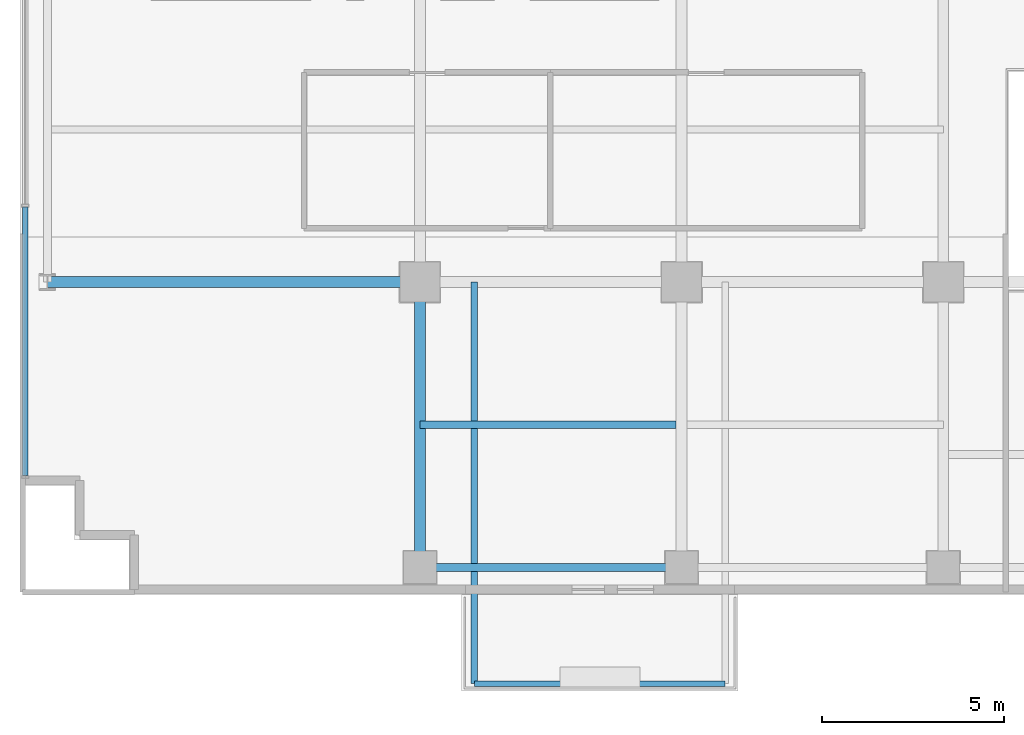
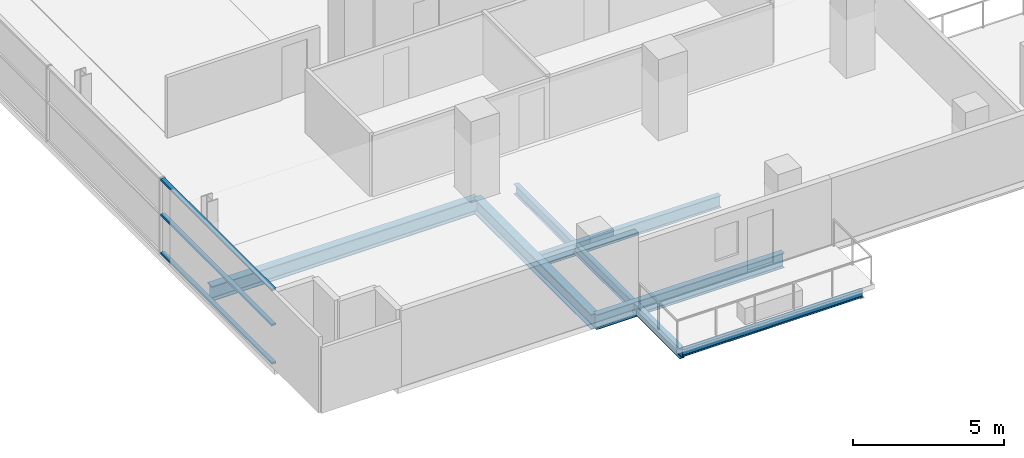
# One storey, part 3 of 30: 6 beams, 3 members, 1 element without a shape of its own.
"""IFC4 building model written with IfcOpenShell, lengths in metres."""

from ifc_helpers import new_model, si_unit, direction, frame, origin, origin_2d, place, context, subcontext, project, spatial, hollow_rectangle, i_section, extrude, source, transform, mapped, material, layer, layer_set, material_profile, profile_set, type_object, element, aggregate, save


model = new_model("IFC4")

# Units and contexts
model_context = context("Model", 3, precision=1e-05, world=origin(), true_north=direction((0.0, 1.0)))
body_context = subcontext(model_context, "Body", "Model", "MODEL_VIEW")
ifc_project = project(units=[si_unit("LENGTHUNIT", "METRE"), si_unit("AREAUNIT", "SQUARE_METRE"), si_unit("VOLUMEUNIT", "CUBIC_METRE"), si_unit("PLANEANGLEUNIT", "RADIAN"), si_unit("MASSUNIT", "GRAM", prefix="KILO")], contexts=[model_context])

# Site, building, storey
site_placement = place(None, origin())
site = spatial("IfcSite", under=ifc_project, at=site_placement, CompositionType="ELEMENT")
building_placement = place(site_placement, origin())
building = spatial("IfcBuilding", under=site, at=building_placement, Name="Zarnakvel Exchange Tower", CompositionType="ELEMENT")
storey_placement = place(building_placement, frame((0.0, 0.0, 50.5)))
storey = spatial("IfcBuildingStorey", under=building, at=storey_placement, Name="L13", CompositionType="ELEMENT", Elevation=50.5)

# Beams
ifc_material_1 = material(Name="Steel S355", Category="steel")
ifc_material_profile_1 = material_profile(ifc_material_1, i_section(OverallWidth=0.199951171875, OverallDepth=0.5, WebThickness=0.01025390625, FlangeThickness=0.01611328125, FilletRadius=0.02099609375, at=origin_2d()))
ifc_profile_set_1 = profile_set([ifc_material_profile_1], Name="Steel S355")
beam_type_1 = type_object("IfcBeamType", Name="B-04", PredefinedType="JOIST", material=ifc_profile_set_1)
beam_1_placement = place(storey_placement, frame((-21.60009765625, -13.52490234375, -0.47509765625), z_axis=(1.0, 0.0, 0.0), x_axis=(0.0, 1.0, 0.0)))
element("IfcBeam", 1, at=beam_1_placement, inside=storey, type_object=beam_type_1, Name="L13 Composite Floor Secondary Joist", PredefinedType="JOIST", context=body_context, shape_type="SweptSolid", body=[
    extrude(i_section(OverallWidth=0.199951171875, OverallDepth=0.5, WebThickness=0.01025390625, FlangeThickness=0.01611328125, FilletRadius=0.02099609375, at=origin_2d()), origin(), (0.0, 0.0, 1.0), 7.050048828125),
])
ifc_material_profile_2 = material_profile(ifc_material_1, i_section(OverallWidth=0.179931640625, OverallDepth=0.39990234375, WebThickness=0.008544921875, FlangeThickness=0.013427734375, FilletRadius=0.02099609375, at=origin_2d()))
ifc_profile_set_2 = profile_set([ifc_material_profile_2], Name="Steel S355")
beam_type_2 = type_object("IfcBeamType", Name="B-06", PredefinedType="JOIST", material=ifc_profile_set_2)
beam_2_placement = place(storey_placement, frame((-20.10009765625, -9.60009765625, -0.425048828125), z_axis=(0.0, -1.0, 0.0), x_axis=(1.0, 0.0, 0.0)))
element("IfcBeam", 2, at=beam_2_placement, inside=storey, type_object=beam_type_2, Name="L13 Continuous Back-Spanned Balcony Beam W", PredefinedType="JOIST", context=body_context, shape_type="SweptSolid", body=[
    extrude(i_section(OverallWidth=0.179931640625, OverallDepth=0.39990234375, WebThickness=0.008544921875, FlangeThickness=0.013427734375, FilletRadius=0.02099609375, at=origin_2d()), origin(), (0.0, 0.0, 1.0), 11.0498046875),
])
ifc_material_profile_3 = material_profile(ifc_material_1, i_section(OverallWidth=0.14990234375, OverallDepth=0.300048828125, WebThickness=0.007080078125, FlangeThickness=0.0107421875, FilletRadius=0.014892578125, at=origin_2d()))
ifc_profile_set_3 = profile_set([ifc_material_profile_3], Name="Steel S355")
beam_type_3 = type_object("IfcBeamType", Name="B-08", PredefinedType="JOIST", material=ifc_profile_set_3)
beam_3_placement = place(storey_placement, frame((-20.10009765625, -20.64990234375, -0.375), z_axis=(1.0, 0.0, 0.0), x_axis=(0.0, 1.0, 0.0)))
element("IfcBeam", 3, at=beam_3_placement, inside=storey, type_object=beam_type_3, Name="L13 Balcony Edge Beam", PredefinedType="JOIST", context=body_context, shape_type="SweptSolid", body=[
    extrude(i_section(OverallWidth=0.14990234375, OverallDepth=0.300048828125, WebThickness=0.007080078125, FlangeThickness=0.0107421875, FilletRadius=0.014892578125, at=origin_2d()), origin(), (0.0, 0.0, 1.0), 6.900146484375),
])
ifc_material_profile_4 = material_profile(ifc_material_1, i_section(OverallWidth=0.300048828125, OverallDepth=0.60009765625, WebThickness=0.015380859375, FlangeThickness=0.030029296875, FilletRadius=0.027099609375, at=origin_2d()))
ifc_profile_set_4 = profile_set([ifc_material_profile_4], Name="Steel S355")
beam_type_4 = type_object("IfcBeamType", Name="G-04", PredefinedType="BEAM", material=ifc_profile_set_4)
beam_4_placement = place(storey_placement, frame((-31.85009765625, -9.60009765625, -0.52490234375), z_axis=(1.0, 0.0, 0.0), x_axis=(0.0, 1.0, 0.0)))
element("IfcBeam", 4, at=beam_4_placement, inside=storey, type_object=beam_type_4, Name="L13 Tower E-W Frame Beam", PredefinedType="BEAM", context=body_context, shape_type="SweptSolid", body=[
    extrude(i_section(OverallWidth=0.300048828125, OverallDepth=0.60009765625, WebThickness=0.015380859375, FlangeThickness=0.030029296875, FilletRadius=0.027099609375, at=origin_2d()), origin(), (0.0, 0.0, 1.0), 10.25),
])
beam_5_placement = place(storey_placement, frame((-21.60009765625, -17.449951171875, -0.52490234375), z_axis=(0.0, 1.0, 0.0), x_axis=(-1.0, 0.0, 0.0)))
element("IfcBeam", 5, at=beam_5_placement, inside=storey, type_object=beam_type_4, Name="L13 Tower N-S Frame Beam", PredefinedType="BEAM", context=body_context, shape_type="SweptSolid", body=[
    extrude(i_section(OverallWidth=0.300048828125, OverallDepth=0.60009765625, WebThickness=0.015380859375, FlangeThickness=0.030029296875, FilletRadius=0.027099609375, at=origin_2d()), origin(), (0.0, 0.0, 1.0), 7.849853515625),
])
ifc_material_profile_5 = material_profile(ifc_material_1, i_section(OverallWidth=0.219970703125, OverallDepth=0.60009765625, WebThickness=0.011962890625, FlangeThickness=0.01904296875, FilletRadius=0.02392578125, at=origin_2d()))
ifc_profile_set_5 = profile_set([ifc_material_profile_5], Name="Steel S355")
beam_type_5 = type_object("IfcBeamType", Name="SP-01", PredefinedType="SPANDREL", material=ifc_profile_set_5)
beam_6_placement = place(storey_placement, frame((-21.60009765625, -17.449951171875, -0.52490234375), z_axis=(1.0, 0.0, 0.0), x_axis=(0.0, 1.0, 0.0)))
element("IfcBeam", 6, at=beam_6_placement, inside=storey, type_object=beam_type_5, Name="L13 Tower E-W Frame Beam", PredefinedType="SPANDREL", context=body_context, shape_type="SweptSolid", body=[
    extrude(i_section(OverallWidth=0.219970703125, OverallDepth=0.60009765625, WebThickness=0.011962890625, FlangeThickness=0.01904296875, FilletRadius=0.02392578125, at=origin_2d()), origin(), (0.0, 0.0, 1.0), 7.2001953125),
])

# Curtain wall, members
ifc_material_2 = material(Name="Architectural Bronze Anodised Aluminium", Category="aluminium")
ifc_layer = layer(ifc_material_2, 0.199951171875)
ifc_layer_set = layer_set([ifc_layer], Name="Architectural Bronze Anodised Aluminium")
curtain_wall_type = type_object("IfcCurtainWallType", Name="CW-04", PredefinedType="NOTDEFINED", material=ifc_layer_set)
curtain_wall_placement = place(storey_placement, origin())
curtain_wall = element("IfcCurtainWall", 7, at=curtain_wall_placement, inside=storey, type_object=curtain_wall_type, Name="L13 Curtain Wall CW-L13-W1 (CW-04)", PredefinedType="NOTDEFINED")
ifc_material_profile_6 = material_profile(ifc_material_2, hollow_rectangle(XDim=0.159912109375, YDim=0.074951171875, WallThickness=0.00390625, at=origin_2d()))
ifc_profile_set_6 = profile_set([ifc_material_profile_6], Name="Architectural Bronze Anodised Aluminium")
member_type = type_object("IfcMemberType", Name="CWT-04", PredefinedType="USERDEFINED", material=ifc_profile_set_6)
shared_shape = source(origin(), body_context, "Body", "SweptSolid", [
    extrude(hollow_rectangle(XDim=0.159912109375, YDim=0.074951171875, WallThickness=0.00390625, at=origin_2d()), origin(), (0.0, 0.0, 1.0), 7.387451171875),
])
member_1_placement = place(storey_placement, frame((-32.4599609375, -14.925048828125, 0.03759765625), z_axis=(0.0, 1.0, 0.0), x_axis=(-1.0, 0.0, 0.0)))
member_1 = element("IfcMember", 8, at=member_1_placement, type_object=member_type, Name="CW-04 transom 1.1", ObjectType="TRANSOM", PredefinedType="USERDEFINED", context=body_context, shape_type="MappedRepresentation", body=[
    mapped(shared_shape, transform((0.0, 0.0, 0.0), x_axis=(1.0, 0.0, 0.0), y_axis=(0.0, 1.0, 0.0), z_axis=(0.0, 0.0, 1.0), scale=1.0)),
])
member_2_placement = place(storey_placement, frame((-32.4599609375, -14.925048828125, 1.588623046875), z_axis=(0.0, 1.0, 0.0), x_axis=(-1.0, 0.0, 0.0)))
member_2 = element("IfcMember", 9, at=member_2_placement, type_object=member_type, Name="CW-04 transom 1.2", ObjectType="TRANSOM", PredefinedType="USERDEFINED", context=body_context, shape_type="MappedRepresentation", body=[
    mapped(shared_shape, transform((0.0, 0.0, 0.0), x_axis=(1.0, 0.0, 0.0), y_axis=(0.0, 1.0, 0.0), z_axis=(0.0, 0.0, 1.0), scale=1.0)),
])
member_3_placement = place(storey_placement, frame((-32.4599609375, -14.925048828125, 3.017578125), z_axis=(0.0, 1.0, 0.0), x_axis=(-1.0, 0.0, 0.0)))
member_3 = element("IfcMember", 10, at=member_3_placement, type_object=member_type, Name="CW-04 transom 1.3", ObjectType="TRANSOM", PredefinedType="USERDEFINED", context=body_context, shape_type="MappedRepresentation", body=[
    mapped(shared_shape, transform((0.0, 0.0, 0.0), x_axis=(1.0, 0.0, 0.0), y_axis=(0.0, 1.0, 0.0), z_axis=(0.0, 0.0, 1.0), scale=1.0)),
])
aggregate(curtain_wall, [member_1, member_2, member_3])

save(model, "model.ifc")
